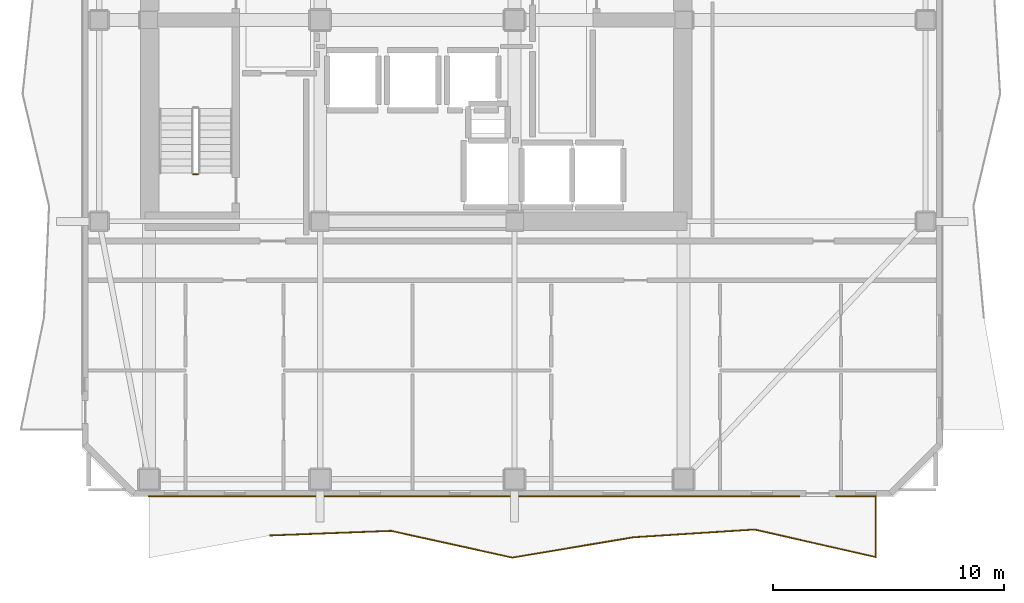
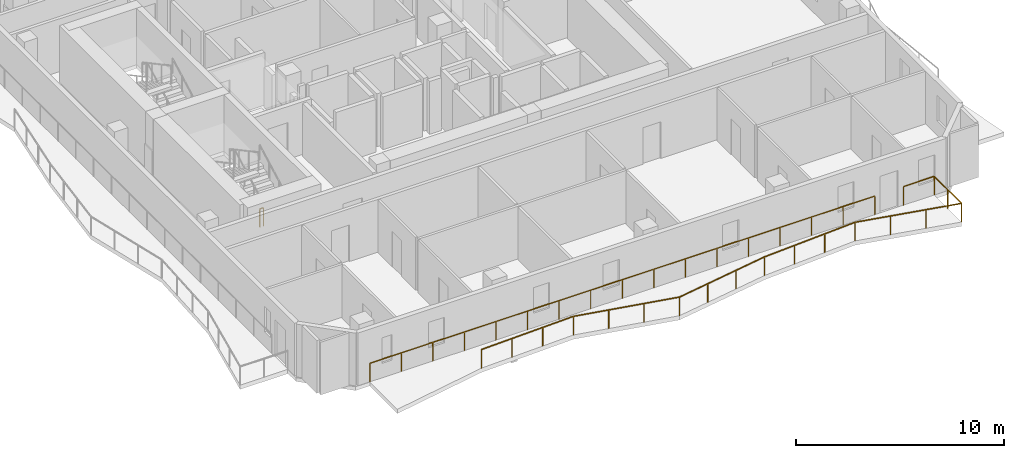
# One storey, part 7 of 9: 3 railings.
"""IFC4 building model written with IfcOpenShell, lengths in metres."""

from ifc_helpers import new_model, si_unit, direction, frame, origin, origin_2d, place, context, subcontext, project, spatial, rectangle, extrude, material, type_object, element, save


model = new_model("IFC4")

# Units and contexts
model_context = context("Model", 3, precision=1e-05, world=origin(), true_north=direction((0.0, 1.0)))
body_context = subcontext(model_context, "Body", "Model", "MODEL_VIEW")
ifc_project = project(units=[si_unit("LENGTHUNIT", "METRE"), si_unit("AREAUNIT", "SQUARE_METRE"), si_unit("VOLUMEUNIT", "CUBIC_METRE"), si_unit("PLANEANGLEUNIT", "RADIAN"), si_unit("MASSUNIT", "GRAM", prefix="KILO")], contexts=[model_context])

# Site, building, storey
site_placement = place(None, origin())
site = spatial("IfcSite", under=ifc_project, at=site_placement, CompositionType="ELEMENT")
building_placement = place(site_placement, origin())
building = spatial("IfcBuilding", under=site, at=building_placement, Name="Solanera Arch Residences", CompositionType="ELEMENT")
storey_placement = place(building_placement, frame((0.0, 0.0, 220.0400390625)))
storey = spatial("IfcBuildingStorey", under=building, at=storey_placement, Name="L64", CompositionType="ELEMENT", Elevation=220.0400390625)

# Railings
ifc_material_1 = material(Name="Steel S355 (ASTM A992 / A572 Grade 50)", Category="steel")
railing_type_1 = type_object("IfcRailingType", Name="Balustrade Railing BL-1100", PredefinedType="BALUSTRADE", material=ifc_material_1)
railing_1_placement = place(storey_placement, frame((18.633056640625, 8.423095703125, 0.0)))
element("IfcRailing", 1, at=railing_1_placement, inside=storey, type_object=railing_type_1, Name="L64 S Balcony Balustrade 1", PredefinedType="BALUSTRADE", context=body_context, shape_type="SweptSolid", body=[
    extrude(rectangle(XDim=0.048095703125, YDim=0.048095703125, at=origin_2d()), frame((0.0, 0.0, 1.09619140625), z_axis=(0.999285211852, 0.037802981006, 0.0), x_axis=(-0.037802981006, 0.999285211852, 0.0)), (0.0, 0.0, 1.0), 5.237548828125),
    extrude(rectangle(XDim=0.048095703125, YDim=0.048095703125, at=origin_2d()), frame((5.23388671875, 0.197998046875, 1.09619140625), z_axis=(0.976574624014, -0.215179003929, 0.0), x_axis=(0.215179003929, 0.976574624014, 0.0)), (0.0, 0.0, 1.0), 5.358642578125),
    extrude(rectangle(XDim=0.048095703125, YDim=0.048095703125, at=origin_2d()), frame((10.467041015625, -0.955078125, 1.09619140625), z_axis=(0.986276772513, 0.165100357366, 0.0), x_axis=(-0.165100357366, 0.986276772513, 0.0)), (0.0, 0.0, 1.0), 5.3056640625),
    extrude(rectangle(XDim=0.048095703125, YDim=0.048095703125, at=origin_2d()), frame((15.699951171875, -0.0791015625, 1.09619140625), z_axis=(0.997934560364, 0.06423872065, 0.0), x_axis=(-0.06423872065, 0.997934560364, 0.0)), (0.0, 0.0, 1.0), 5.24462890625),
    extrude(rectangle(XDim=0.048095703125, YDim=0.048095703125, at=origin_2d()), frame((20.933837890625, 0.2578125, 1.09619140625), z_axis=(0.975109166071, -0.221725312593, 0.0), x_axis=(0.221725312593, 0.975109166071, 0.0)), (0.0, 0.0, 1.0), 5.36669921875),
    extrude(rectangle(XDim=0.048095703125, YDim=0.048095703125, at=origin_2d()), frame((26.1669921875, -0.93212890625, 1.09619140625), z_axis=(0.0, 1.0, 0.0), x_axis=(-1.0, 0.0, 0.0)), (0.0, 0.0, 1.0), 2.629150390625),
    extrude(rectangle(XDim=0.048095703125, YDim=0.048095703125, at=origin_2d()), frame((26.1669921875, 1.697021484375, 1.09619140625), z_axis=(-1.0, 0.0, 0.0), x_axis=(0.0, -1.0, 0.0)), (0.0, 0.0, 1.0), 1.7099609375),
    extrude(rectangle(XDim=0.0419921875, YDim=0.0419921875, at=origin_2d()), origin(), (0.0, 0.0, 1.0), 1.072021484375),
    extrude(rectangle(XDim=0.0419921875, YDim=0.0419921875, at=origin_2d()), frame((1.74462890625, 0.06591796875, 0.0)), (0.0, 0.0, 1.0), 1.072021484375),
    extrude(rectangle(XDim=0.0419921875, YDim=0.0419921875, at=origin_2d()), frame((3.4892578125, 0.132080078125, 0.0)), (0.0, 0.0, 1.0), 1.072021484375),
    extrude(rectangle(XDim=0.0419921875, YDim=0.0419921875, at=origin_2d()), frame((5.23388671875, 0.197998046875, 0.0)), (0.0, 0.0, 1.0), 1.072021484375),
    extrude(rectangle(XDim=0.0419921875, YDim=0.0419921875, at=origin_2d()), frame((6.978271484375, -0.186279296875, 0.0)), (0.0, 0.0, 1.0), 1.072021484375),
    extrude(rectangle(XDim=0.0419921875, YDim=0.0419921875, at=origin_2d()), frame((8.72265625, -0.57080078125, 0.0)), (0.0, 0.0, 1.0), 1.072021484375),
    extrude(rectangle(XDim=0.0419921875, YDim=0.0419921875, at=origin_2d()), frame((10.467041015625, -0.955078125, 0.0)), (0.0, 0.0, 1.0), 1.072021484375),
    extrude(rectangle(XDim=0.0419921875, YDim=0.0419921875, at=origin_2d()), frame((12.21142578125, -0.6630859375, 0.0)), (0.0, 0.0, 1.0), 1.072021484375),
    extrude(rectangle(XDim=0.0419921875, YDim=0.0419921875, at=origin_2d()), frame((13.95556640625, -0.37109375, 0.0)), (0.0, 0.0, 1.0), 1.072021484375),
    extrude(rectangle(XDim=0.0419921875, YDim=0.0419921875, at=origin_2d()), frame((15.699951171875, -0.0791015625, 0.0)), (0.0, 0.0, 1.0), 1.072021484375),
    extrude(rectangle(XDim=0.0419921875, YDim=0.0419921875, at=origin_2d()), frame((17.444580078125, 0.033203125, 0.0)), (0.0, 0.0, 1.0), 1.072021484375),
    extrude(rectangle(XDim=0.0419921875, YDim=0.0419921875, at=origin_2d()), frame((19.189208984375, 0.1455078125, 0.0)), (0.0, 0.0, 1.0), 1.072021484375),
    extrude(rectangle(XDim=0.0419921875, YDim=0.0419921875, at=origin_2d()), frame((20.933837890625, 0.2578125, 0.0)), (0.0, 0.0, 1.0), 1.072021484375),
    extrude(rectangle(XDim=0.0419921875, YDim=0.0419921875, at=origin_2d()), frame((22.67822265625, -0.138916015625, 0.0)), (0.0, 0.0, 1.0), 1.072021484375),
    extrude(rectangle(XDim=0.0419921875, YDim=0.0419921875, at=origin_2d()), frame((24.422607421875, -0.535400390625, 0.0)), (0.0, 0.0, 1.0), 1.072021484375),
    extrude(rectangle(XDim=0.0419921875, YDim=0.0419921875, at=origin_2d()), frame((26.1669921875, -0.93212890625, 0.0)), (0.0, 0.0, 1.0), 1.072021484375),
    extrude(rectangle(XDim=0.0419921875, YDim=0.0419921875, at=origin_2d()), frame((26.1669921875, 0.38232421875, 0.0)), (0.0, 0.0, 1.0), 1.072021484375),
    extrude(rectangle(XDim=0.0419921875, YDim=0.0419921875, at=origin_2d()), frame((26.1669921875, 1.697021484375, 0.0)), (0.0, 0.0, 1.0), 1.072021484375),
    extrude(rectangle(XDim=0.0419921875, YDim=0.0419921875, at=origin_2d()), frame((24.45703125, 1.697021484375, 0.0)), (0.0, 0.0, 1.0), 1.072021484375),
])
railing_2_placement = place(storey_placement, frame((41.489990234375, 10.1201171875, 0.0)))
element("IfcRailing", 2, at=railing_2_placement, inside=storey, type_object=railing_type_1, Name="L64 S Balcony Balustrade 2", PredefinedType="BALUSTRADE", context=body_context, shape_type="SweptSolid", body=[
    extrude(rectangle(XDim=0.048095703125, YDim=0.048095703125, at=origin_2d()), frame((0.0, 0.0, 1.09619140625), z_axis=(-1.0, 0.0, 0.0), x_axis=(0.0, -1.0, 0.0)), (0.0, 0.0, 1.0), 28.090087890625),
    extrude(rectangle(XDim=0.0419921875, YDim=0.0419921875, at=origin_2d()), origin(), (0.0, 0.0, 1.0), 1.072021484375),
    extrude(rectangle(XDim=0.0419921875, YDim=0.0419921875, at=origin_2d()), frame((-1.755615234375, 0.0, 0.0)), (0.0, 0.0, 1.0), 1.072021484375),
    extrude(rectangle(XDim=0.0419921875, YDim=0.0419921875, at=origin_2d()), frame((-3.51123046875, 0.0, 0.0)), (0.0, 0.0, 1.0), 1.072021484375),
    extrude(rectangle(XDim=0.0419921875, YDim=0.0419921875, at=origin_2d()), frame((-5.266845703125, 0.0, 0.0)), (0.0, 0.0, 1.0), 1.072021484375),
    extrude(rectangle(XDim=0.0419921875, YDim=0.0419921875, at=origin_2d()), frame((-7.0224609375, 0.0, 0.0)), (0.0, 0.0, 1.0), 1.072021484375),
    extrude(rectangle(XDim=0.0419921875, YDim=0.0419921875, at=origin_2d()), frame((-8.778076171875, 0.0, 0.0)), (0.0, 0.0, 1.0), 1.072021484375),
    extrude(rectangle(XDim=0.0419921875, YDim=0.0419921875, at=origin_2d()), frame((-10.53369140625, 0.0, 0.0)), (0.0, 0.0, 1.0), 1.072021484375),
    extrude(rectangle(XDim=0.0419921875, YDim=0.0419921875, at=origin_2d()), frame((-12.289306640625, 0.0, 0.0)), (0.0, 0.0, 1.0), 1.072021484375),
    extrude(rectangle(XDim=0.0419921875, YDim=0.0419921875, at=origin_2d()), frame((-14.044921875, 0.0, 0.0)), (0.0, 0.0, 1.0), 1.072021484375),
    extrude(rectangle(XDim=0.0419921875, YDim=0.0419921875, at=origin_2d()), frame((-15.80078125, 0.0, 0.0)), (0.0, 0.0, 1.0), 1.072021484375),
    extrude(rectangle(XDim=0.0419921875, YDim=0.0419921875, at=origin_2d()), frame((-17.556396484375, 0.0, 0.0)), (0.0, 0.0, 1.0), 1.072021484375),
    extrude(rectangle(XDim=0.0419921875, YDim=0.0419921875, at=origin_2d()), frame((-19.31201171875, 0.0, 0.0)), (0.0, 0.0, 1.0), 1.072021484375),
    extrude(rectangle(XDim=0.0419921875, YDim=0.0419921875, at=origin_2d()), frame((-21.067626953125, 0.0, 0.0)), (0.0, 0.0, 1.0), 1.072021484375),
    extrude(rectangle(XDim=0.0419921875, YDim=0.0419921875, at=origin_2d()), frame((-22.8232421875, 0.0, 0.0)), (0.0, 0.0, 1.0), 1.072021484375),
    extrude(rectangle(XDim=0.0419921875, YDim=0.0419921875, at=origin_2d()), frame((-24.578857421875, 0.0, 0.0)), (0.0, 0.0, 1.0), 1.072021484375),
    extrude(rectangle(XDim=0.0419921875, YDim=0.0419921875, at=origin_2d()), frame((-26.33447265625, 0.0, 0.0)), (0.0, 0.0, 1.0), 1.072021484375),
    extrude(rectangle(XDim=0.0419921875, YDim=0.0419921875, at=origin_2d()), frame((-28.090087890625, 0.0, 0.0)), (0.0, 0.0, 1.0), 1.072021484375),
])
ifc_material_2 = material(Name="Steel S355 (ASTM A992 / A572 Grade 50)", Category="steel")
railing_type_2 = type_object("IfcRailingType", Name="Stair Guardrail GR-1100", PredefinedType="GUARDRAIL", material=ifc_material_2)
railing_3_placement = place(storey_placement, frame((15.52001953125, 24.030029296875, -0.01513671875)))
element("IfcRailing", 3, at=railing_3_placement, inside=storey, type_object=railing_type_2, Name="L64 ST-T3 stair guard 4", PredefinedType="GUARDRAIL", context=body_context, shape_type="SweptSolid", body=[
    extrude(rectangle(XDim=0.048095703125, YDim=0.048095703125, at=origin_2d()), frame((0.0, 0.0, 1.076171875), z_axis=(-1.0, 0.0, 0.0), x_axis=(0.0, -1.0, 0.0)), (0.0, 0.0, 1.0), 0.199951171875),
    extrude(rectangle(XDim=0.0419921875, YDim=0.0419921875, at=origin_2d()), origin(), (0.0, 0.0, 1.0), 1.052001953125),
    extrude(rectangle(XDim=0.0419921875, YDim=0.0419921875, at=origin_2d()), frame((-0.199951171875, 0.0, 0.0)), (0.0, 0.0, 1.0), 1.052001953125),
])

save(model, "model.ifc")
